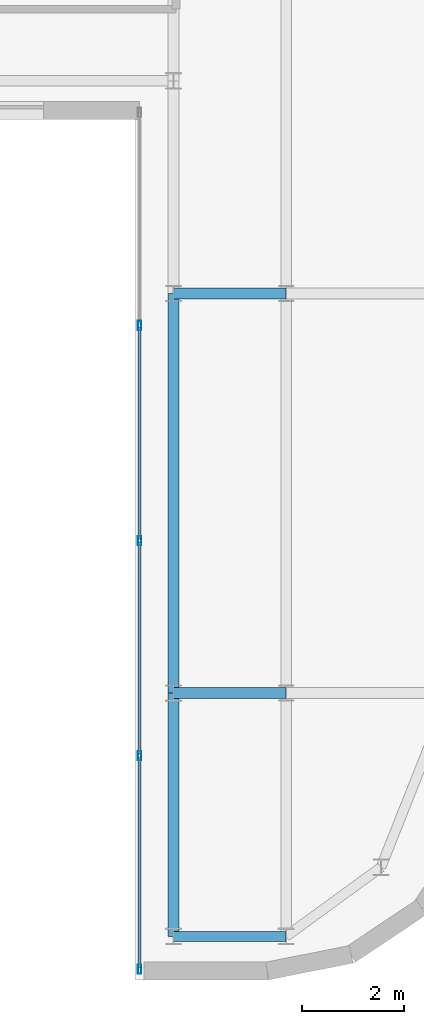
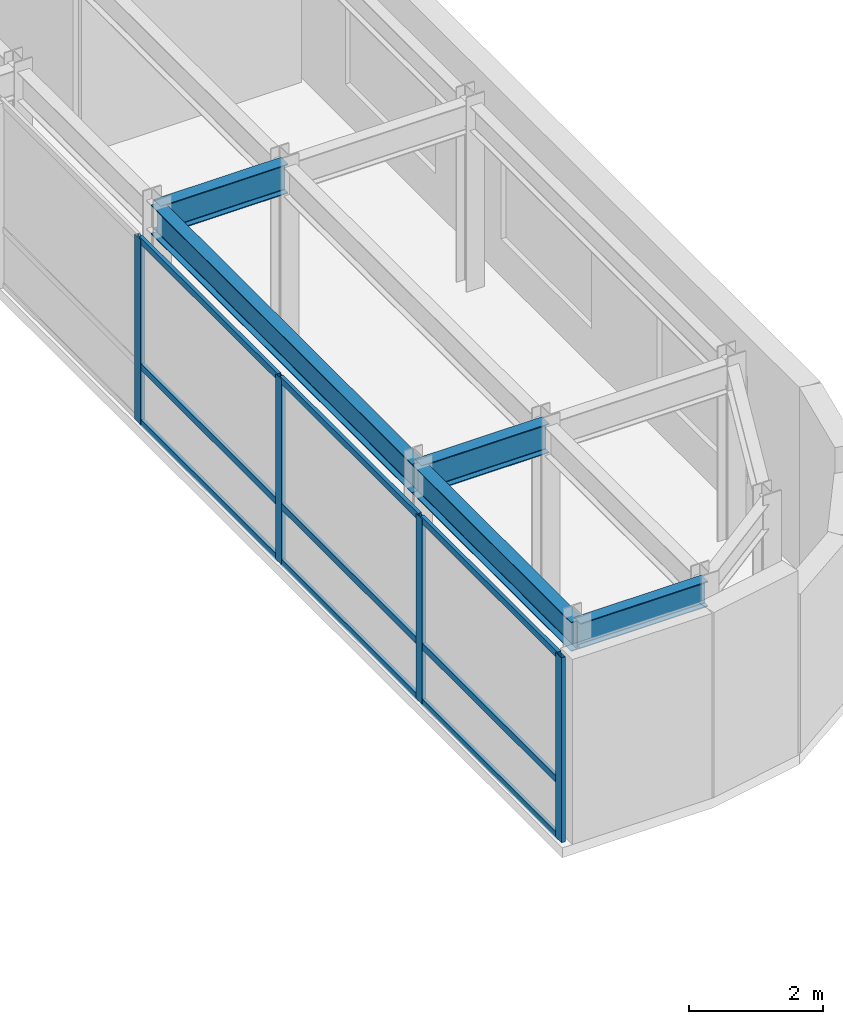
# One storey, part 7 of 18: 13 members, 5 beams, 1 element without a shape of its own.
"""IFC4 building model written with IfcOpenShell, lengths in metres."""

from ifc_helpers import new_model, si_unit, direction, frame, origin, origin_2d, place, context, subcontext, project, spatial, hollow_rectangle, i_section, extrude, source, transform, mapped, material, layer, layer_set, material_profile, profile_set, type_object, type_shapes, element, aggregate, save


model = new_model("IFC4")

# Units and contexts
model_context = context("Model", 3, precision=1e-05, world=origin(), true_north=direction((0.0, 1.0)))
body_context = subcontext(model_context, "Body", "Model", "MODEL_VIEW")
ifc_project = project(units=[si_unit("LENGTHUNIT", "METRE"), si_unit("AREAUNIT", "SQUARE_METRE"), si_unit("VOLUMEUNIT", "CUBIC_METRE"), si_unit("PLANEANGLEUNIT", "RADIAN"), si_unit("MASSUNIT", "GRAM", prefix="KILO")], contexts=[model_context])

# Site, building, storey
site_placement = place(None, origin())
site = spatial("IfcSite", under=ifc_project, at=site_placement, CompositionType="ELEMENT")
building_placement = place(site_placement, origin())
building = spatial("IfcBuilding", under=site, at=building_placement, Name="Tolvann Quenvar Hotel", CompositionType="ELEMENT")
storey_placement = place(building_placement, frame((0.0, 0.0, 245.199951171875)))
storey = spatial("IfcBuildingStorey", under=building, at=storey_placement, Name="L65", CompositionType="ELEMENT", Elevation=245.199951171875)

# Beams
ifc_material_1 = material(Name="Steel Grade 350", Category="steel")
ifc_material_profile_1 = material_profile(ifc_material_1, i_section(OverallWidth=0.208984375, OverallDepth=0.532958984375, WebThickness=0.01025390625, FlangeThickness=0.015625, FilletRadius=0.013916015625, at=origin_2d()), Name="530UB92")
ifc_profile_set_1 = profile_set([ifc_material_profile_1], Name="Steel Grade 350")
beam_type_1 = type_object("IfcBeamType", Name="BM_GIRD_530UB92", PredefinedType="BEAM", material=ifc_profile_set_1)
shared_shape_1 = source(origin(), body_context, "Body", "SweptSolid", [
    extrude(i_section(OverallWidth=0.208984375, OverallDepth=0.532958984375, WebThickness=0.01025390625, FlangeThickness=0.015625, FilletRadius=0.013916015625, at=origin_2d()), origin(), (0.0, 0.0, 1.0), 7.800048828125),
])
beam_1_placement = place(storey_placement, frame((32.75, 8.199951171875, 3.103515625), z_axis=(0.0, 1.0, 0.0), x_axis=(-1.0, 0.0, 0.0)))
element("IfcBeam", 1, at=beam_1_placement, inside=storey, type_object=beam_type_1, Name="BM-L65-NS-FP3-FP4", PredefinedType="BEAM", context=body_context, shape_type="MappedRepresentation", body=[
    mapped(shared_shape_1, transform((0.0, 0.0, 0.0), x_axis=(1.0, 0.0, 0.0), y_axis=(0.0, 1.0, 0.0), z_axis=(0.0, 0.0, 1.0), scale=1.0)),
])
shared_shape_2 = source(origin(), body_context, "Body", "SweptSolid", [
    extrude(i_section(OverallWidth=0.208984375, OverallDepth=0.532958984375, WebThickness=0.01025390625, FlangeThickness=0.015625, FilletRadius=0.013916015625, at=origin_2d()), origin(), (0.0, 0.0, 1.0), 4.75),
])
beam_2_placement = place(storey_placement, frame((32.75, 3.449951171875, 3.103515625), z_axis=(0.0, 1.0, 0.0), x_axis=(-1.0, 0.0, 0.0)))
element("IfcBeam", 2, at=beam_2_placement, inside=storey, type_object=beam_type_1, Name="BM-L65-NS-FP2-FP3", PredefinedType="BEAM", context=body_context, shape_type="MappedRepresentation", body=[
    mapped(shared_shape_2, transform((0.0, 0.0, 0.0), x_axis=(1.0, 0.0, 0.0), y_axis=(0.0, 1.0, 0.0), z_axis=(0.0, 0.0, 1.0), scale=1.0)),
])
ifc_material_profile_2 = material_profile(ifc_material_1, i_section(OverallWidth=0.19091796875, OverallDepth=0.4599609375, WebThickness=0.010009765625, FlangeThickness=0.01611328125, FilletRadius=0.011474609375, at=origin_2d()), Name="460UB82")
ifc_profile_set_2 = profile_set([ifc_material_profile_2], Name="Steel Grade 350")
beam_type_2 = type_object("IfcBeamType", Name="BM_SPAND_460UB82", PredefinedType="SPANDREL", material=ifc_profile_set_2)
shared_shape_3 = source(origin(), body_context, "Body", "SweptSolid", [
    extrude(i_section(OverallWidth=0.19091796875, OverallDepth=0.4599609375, WebThickness=0.010009765625, FlangeThickness=0.01611328125, FilletRadius=0.011474609375, at=origin_2d()), origin(), (0.0, 0.0, 1.0), 2.199951171875),
])
type_shapes(beam_type_2, [shared_shape_3])
beam_3_placement = place(storey_placement, frame((32.75, 3.449951171875, 3.14013671875), z_axis=(1.0, 0.0, 0.0), x_axis=(0.0, 1.0, 0.0)))
element("IfcBeam", 3, at=beam_3_placement, inside=storey, type_object=beam_type_2, Name="BM-L65-EW-2-FP2-F2", PredefinedType="SPANDREL", context=body_context, shape_type="MappedRepresentation", body=[
    mapped(shared_shape_3, transform((0.0, 0.0, 0.0), x_axis=(1.0, 0.0, 0.0), y_axis=(0.0, 1.0, 0.0), z_axis=(0.0, 0.0, 1.0), scale=1.0)),
])
shared_shape_4 = source(origin(), body_context, "Body", "SweptSolid", [
    extrude(i_section(OverallWidth=0.208984375, OverallDepth=0.532958984375, WebThickness=0.01025390625, FlangeThickness=0.015625, FilletRadius=0.013916015625, at=origin_2d()), origin(), (0.0, 0.0, 1.0), 2.199951171875),
])
type_shapes(beam_type_1, [shared_shape_1, shared_shape_2, shared_shape_4])
for number, where, z_axis, x_axis, name in (
    (4, (32.75, 8.199951171875, 3.103515625), (1.0, 0.0, 0.0), (0.0, 1.0, 0.0), "BM-L65-EW-3-FP3-F3"),
    (5, (32.75, 16.0, 3.103515625), (1.0, 0.0, 0.0), (0.0, 1.0, 0.0), "BM-L65-EW-4-FP4-F4"),
):
    element("IfcBeam", number, at=place(storey_placement, frame(where, z_axis=z_axis, x_axis=x_axis)), inside=storey, type_object=beam_type_1, Name=name, PredefinedType="BEAM", context=body_context, shape_type="MappedRepresentation", body=[
        mapped(shared_shape_4, transform((0.0, 0.0, 0.0), x_axis=(1.0, 0.0, 0.0), y_axis=(0.0, 1.0, 0.0), z_axis=(0.0, 0.0, 1.0), scale=1.0)),
    ])

# Curtain wall, members
ifc_material_2 = material(Name="Thermally broken anodised architectural aluminium 6063-T6 and laminated low-E glass", Category="aluminium")
ifc_layer = layer(ifc_material_2, 0.179931640625)
ifc_layer_set = layer_set([ifc_layer], Name="Thermally broken anodised architectural aluminium 6063-T6 and laminated low-E glass")
curtain_wall_type = type_object("IfcCurtainWallType", Name="CW_SYS_PORTAL_05", PredefinedType="USERDEFINED", material=ifc_layer_set)
curtain_wall_placement = place(storey_placement, origin())
curtain_wall = element("IfcCurtainWall", 6, at=curtain_wall_placement, inside=storey, type_object=curtain_wall_type, Name="Curtain Wall CW-PORTAL-05 (CWR-L65-E07)", ObjectType="UNITISED CURTAIN WALL", PredefinedType="USERDEFINED")
ifc_material_3 = material(Name="Anodised architectural aluminium 6063-T6 framing", Category="aluminium")
ifc_material_profile_3 = material_profile(ifc_material_3, hollow_rectangle(XDim=0.070068359375, YDim=0.179931640625, WallThickness=0.00390625, at=origin_2d()), Name="180x70x4RHS")
ifc_profile_set_3 = profile_set([ifc_material_profile_3], Name="Anodised architectural aluminium 6063-T6 framing")
member_type_1 = type_object("IfcMemberType", Name="CW_MULL_180x70", PredefinedType="MULLION", material=ifc_profile_set_3)
shared_shape_5 = source(origin(), body_context, "Body", "SweptSolid", [
    extrude(hollow_rectangle(XDim=0.070068359375, YDim=0.179931640625, WallThickness=0.00390625, at=origin_2d()), origin(), (0.0, 0.0, 1.0), 3.3701171875),
])
type_shapes(member_type_1, [shared_shape_5])
member_1_placement = place(storey_placement, frame((32.090087890625, 15.375, 0.0), z_axis=(0.0, 0.0, 1.0), x_axis=(1.0, 0.0, 0.0)))
member_1 = element("IfcMember", 7, at=member_1_placement, type_object=member_type_1, Name="CW-PORTAL-05 mullion 2", PredefinedType="MULLION", context=body_context, shape_type="MappedRepresentation", body=[
    mapped(shared_shape_5, transform((0.0, 0.0, 0.0), x_axis=(1.0, 0.0, 0.0), y_axis=(0.0, 1.0, 0.0), z_axis=(0.0, 0.0, 1.0), scale=1.0)),
])
member_2_placement = place(storey_placement, frame((32.090087890625, 11.175048828125, 0.0), z_axis=(0.0, 0.0, 1.0), x_axis=(1.0, 0.0, 0.0)))
member_2 = element("IfcMember", 8, at=member_2_placement, type_object=member_type_1, Name="CW-PORTAL-05 mullion 3", PredefinedType="MULLION", context=body_context, shape_type="MappedRepresentation", body=[
    mapped(shared_shape_5, transform((0.0, 0.0, 0.0), x_axis=(1.0, 0.0, 0.0), y_axis=(0.0, 1.0, 0.0), z_axis=(0.0, 0.0, 1.0), scale=1.0)),
])
member_3_placement = place(storey_placement, frame((32.090087890625, 6.97509765625, 0.0), z_axis=(0.0, 0.0, 1.0), x_axis=(1.0, 0.0, 0.0)))
member_3 = element("IfcMember", 9, at=member_3_placement, type_object=member_type_1, Name="CW-PORTAL-05 mullion 4", PredefinedType="MULLION", context=body_context, shape_type="MappedRepresentation", body=[
    mapped(shared_shape_5, transform((0.0, 0.0, 0.0), x_axis=(1.0, 0.0, 0.0), y_axis=(0.0, 1.0, 0.0), z_axis=(0.0, 0.0, 1.0), scale=1.0)),
])
member_4_placement = place(storey_placement, frame((32.090087890625, 2.81005859375, 0.0), z_axis=(0.0, 0.0, 1.0), x_axis=(1.0, 0.0, 0.0)))
member_4 = element("IfcMember", 10, at=member_4_placement, type_object=member_type_1, Name="CW-PORTAL-05 mullion 5", PredefinedType="MULLION", context=body_context, shape_type="MappedRepresentation", body=[
    mapped(shared_shape_5, transform((0.0, 0.0, 0.0), x_axis=(1.0, 0.0, 0.0), y_axis=(0.0, 1.0, 0.0), z_axis=(0.0, 0.0, 1.0), scale=1.0)),
])
ifc_material_profile_4 = material_profile(ifc_material_3, hollow_rectangle(XDim=0.06005859375, YDim=0.1201171875, WallThickness=0.00341796875, at=origin_2d()), Name="120x60x3.5RHS")
ifc_profile_set_4 = profile_set([ifc_material_profile_4], Name="Anodised architectural aluminium 6063-T6 framing")
member_type_2 = type_object("IfcMemberType", Name="CW_TRAN_120x60", PredefinedType="USERDEFINED", material=ifc_profile_set_4)
shared_shape_6 = source(origin(), body_context, "Body", "SweptSolid", [
    extrude(hollow_rectangle(XDim=0.06005859375, YDim=0.1201171875, WallThickness=0.00341796875, at=origin_2d()), origin(), (0.0, 0.0, 1.0), 4.094970703125),
])
member_5_placement = place(storey_placement, frame((32.090087890625, 6.93994140625, 0.030029296875), z_axis=(0.0, -1.0, 0.0), x_axis=(1.0, 0.0, 0.0)))
member_5 = element("IfcMember", 11, at=member_5_placement, type_object=member_type_2, Name="CW-PORTAL-05 transom 4.1", ObjectType="TRANSOM", PredefinedType="USERDEFINED", context=body_context, shape_type="MappedRepresentation", body=[
    mapped(shared_shape_6, transform((0.0, 0.0, 0.0), x_axis=(1.0, 0.0, 0.0), y_axis=(0.0, 1.0, 0.0), z_axis=(0.0, 0.0, 1.0), scale=1.0)),
])
member_6_placement = place(storey_placement, frame((32.090087890625, 6.93994140625, 1.050048828125), z_axis=(0.0, -1.0, 0.0), x_axis=(1.0, 0.0, 0.0)))
member_6 = element("IfcMember", 12, at=member_6_placement, type_object=member_type_2, Name="CW-PORTAL-05 transom 4.2", ObjectType="TRANSOM", PredefinedType="USERDEFINED", context=body_context, shape_type="MappedRepresentation", body=[
    mapped(shared_shape_6, transform((0.0, 0.0, 0.0), x_axis=(1.0, 0.0, 0.0), y_axis=(0.0, 1.0, 0.0), z_axis=(0.0, 0.0, 1.0), scale=1.0)),
])
member_7_placement = place(storey_placement, frame((32.090087890625, 6.93994140625, 3.340087890625), z_axis=(0.0, -1.0, 0.0), x_axis=(1.0, 0.0, 0.0)))
member_7 = element("IfcMember", 13, at=member_7_placement, type_object=member_type_2, Name="CW-PORTAL-05 transom 4.3", ObjectType="TRANSOM", PredefinedType="USERDEFINED", context=body_context, shape_type="MappedRepresentation", body=[
    mapped(shared_shape_6, transform((0.0, 0.0, 0.0), x_axis=(1.0, 0.0, 0.0), y_axis=(0.0, 1.0, 0.0), z_axis=(0.0, 0.0, 1.0), scale=1.0)),
])
shared_shape_7 = source(origin(), body_context, "Body", "SweptSolid", [
    extrude(hollow_rectangle(XDim=0.06005859375, YDim=0.1201171875, WallThickness=0.00341796875, at=origin_2d()), origin(), (0.0, 0.0, 1.0), 4.130126953125),
])
member_8_placement = place(storey_placement, frame((32.090087890625, 15.340087890625, 0.030029296875), z_axis=(0.0, -1.0, 0.0), x_axis=(1.0, 0.0, 0.0)))
member_8 = element("IfcMember", 14, at=member_8_placement, type_object=member_type_2, Name="CW-PORTAL-05 transom 2.1", ObjectType="TRANSOM", PredefinedType="USERDEFINED", context=body_context, shape_type="MappedRepresentation", body=[
    mapped(shared_shape_7, transform((0.0, 0.0, 0.0), x_axis=(1.0, 0.0, 0.0), y_axis=(0.0, 1.0, 0.0), z_axis=(0.0, 0.0, 1.0), scale=1.0)),
])
member_9_placement = place(storey_placement, frame((32.090087890625, 15.340087890625, 1.050048828125), z_axis=(0.0, -1.0, 0.0), x_axis=(1.0, 0.0, 0.0)))
member_9 = element("IfcMember", 15, at=member_9_placement, type_object=member_type_2, Name="CW-PORTAL-05 transom 2.2", ObjectType="TRANSOM", PredefinedType="USERDEFINED", context=body_context, shape_type="MappedRepresentation", body=[
    mapped(shared_shape_7, transform((0.0, 0.0, 0.0), x_axis=(1.0, 0.0, 0.0), y_axis=(0.0, 1.0, 0.0), z_axis=(0.0, 0.0, 1.0), scale=1.0)),
])
member_10_placement = place(storey_placement, frame((32.090087890625, 15.340087890625, 3.340087890625), z_axis=(0.0, -1.0, 0.0), x_axis=(1.0, 0.0, 0.0)))
member_10 = element("IfcMember", 16, at=member_10_placement, type_object=member_type_2, Name="CW-PORTAL-05 transom 2.3", ObjectType="TRANSOM", PredefinedType="USERDEFINED", context=body_context, shape_type="MappedRepresentation", body=[
    mapped(shared_shape_7, transform((0.0, 0.0, 0.0), x_axis=(1.0, 0.0, 0.0), y_axis=(0.0, 1.0, 0.0), z_axis=(0.0, 0.0, 1.0), scale=1.0)),
])
shared_shape_8 = source(origin(), body_context, "Body", "SweptSolid", [
    extrude(hollow_rectangle(XDim=0.06005859375, YDim=0.1201171875, WallThickness=0.00341796875, at=origin_2d()), origin(), (0.0, 0.0, 1.0), 4.1298828125),
])
type_shapes(member_type_2, [shared_shape_6, shared_shape_7, shared_shape_8])
member_11_placement = place(storey_placement, frame((32.090087890625, 11.139892578125, 0.030029296875), z_axis=(0.0, -1.0, 0.0), x_axis=(1.0, 0.0, 0.0)))
member_11 = element("IfcMember", 17, at=member_11_placement, type_object=member_type_2, Name="CW-PORTAL-05 transom 3.1", ObjectType="TRANSOM", PredefinedType="USERDEFINED", context=body_context, shape_type="MappedRepresentation", body=[
    mapped(shared_shape_8, transform((0.0, 0.0, 0.0), x_axis=(1.0, 0.0, 0.0), y_axis=(0.0, 1.0, 0.0), z_axis=(0.0, 0.0, 1.0), scale=1.0)),
])
member_12_placement = place(storey_placement, frame((32.090087890625, 11.139892578125, 1.050048828125), z_axis=(0.0, -1.0, 0.0), x_axis=(1.0, 0.0, 0.0)))
member_12 = element("IfcMember", 18, at=member_12_placement, type_object=member_type_2, Name="CW-PORTAL-05 transom 3.2", ObjectType="TRANSOM", PredefinedType="USERDEFINED", context=body_context, shape_type="MappedRepresentation", body=[
    mapped(shared_shape_8, transform((0.0, 0.0, 0.0), x_axis=(1.0, 0.0, 0.0), y_axis=(0.0, 1.0, 0.0), z_axis=(0.0, 0.0, 1.0), scale=1.0)),
])
member_13_placement = place(storey_placement, frame((32.090087890625, 11.139892578125, 3.340087890625), z_axis=(0.0, -1.0, 0.0), x_axis=(1.0, 0.0, 0.0)))
member_13 = element("IfcMember", 19, at=member_13_placement, type_object=member_type_2, Name="CW-PORTAL-05 transom 3.3", ObjectType="TRANSOM", PredefinedType="USERDEFINED", context=body_context, shape_type="MappedRepresentation", body=[
    mapped(shared_shape_8, transform((0.0, 0.0, 0.0), x_axis=(1.0, 0.0, 0.0), y_axis=(0.0, 1.0, 0.0), z_axis=(0.0, 0.0, 1.0), scale=1.0)),
])
aggregate(curtain_wall, [member_1, member_2, member_3, member_4, member_8, member_9, member_10, member_11, member_12, member_13, member_5, member_6, member_7])

save(model, "model.ifc")
